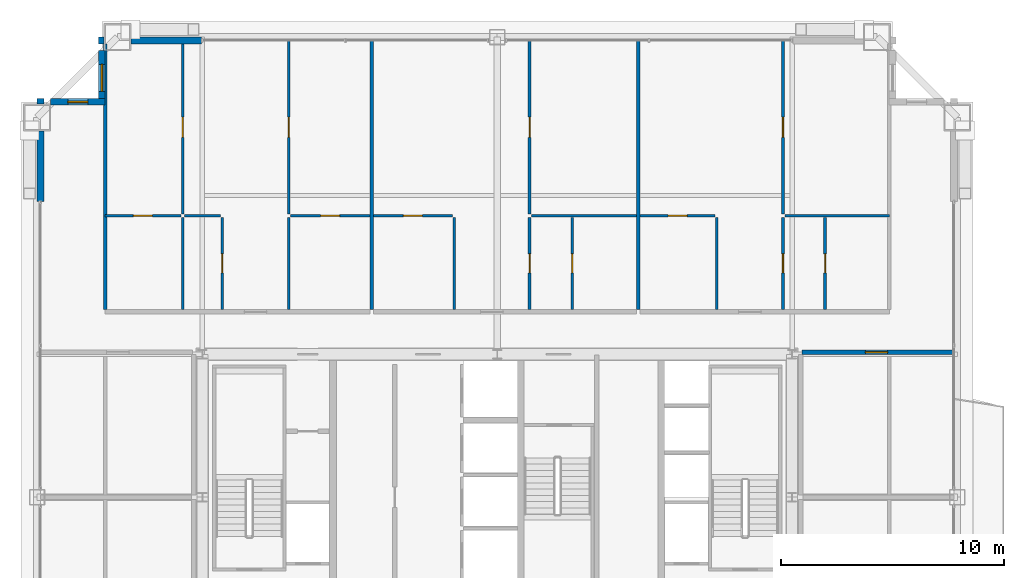
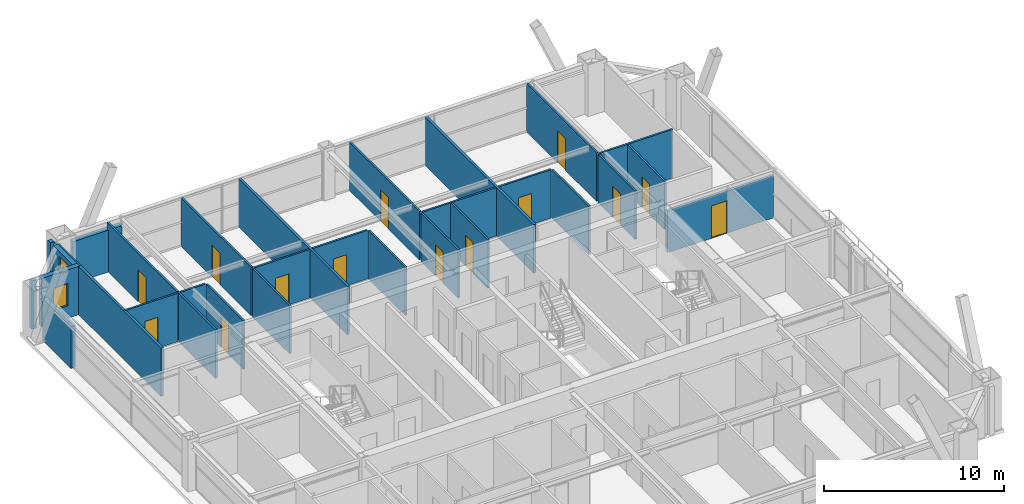
# One storey, part 33 of 35: 30 walls, 14 doors, 2 windows, 16 openings.
"""IFC4 building model written with IfcOpenShell, lengths in metres."""

import ifcopenshell
import ifcopenshell.guid

model = None  # the IFC model being written
_history = None  # IfcOwnerHistory: only IFC2X3 demands one
_inside = {}  # id of a spatial element -> (the spatial element, [elements in it])
_under = {}  # id of a project, library or spatial element -> (it, [spatial elements below it])
_declared = {}  # id of a project -> (the project, [libraries it declares])
_typed = {}  # id of a type object -> (the type object, [elements of that type])
_made_of = {}  # id of a material, layer set ... -> (it, [elements and type objects made of it])


def new_model(schema):
    """Start an empty IFC model of exactly this schema.

    Asked for "IFC4X3", IfcOpenShell would pick the latest addendum, in which some entities
    have other attributes; the version numbers below select the first issue.
    IFC2X3 requires an IfcOwnerHistory on every rooted entity: one is made here for all.
    """
    global model, _history
    if schema == "IFC4X3":
        model = ifcopenshell.file(schema_version=(4, 3, 0, 0))
    else:
        model = ifcopenshell.file(schema=schema)
    _inside.clear()
    _under.clear()
    _declared.clear()
    _typed.clear()
    _made_of.clear()
    _history = None
    if model.schema == "IFC2X3":
        org = make("IfcOrganization", Name="unknown")
        user = make(
            "IfcPersonAndOrganization",
            ThePerson=make("IfcPerson", FamilyName="unknown"),
            TheOrganization=org,
        )
        app = make(
            "IfcApplication",
            ApplicationDeveloper=org,
            Version="unknown",
            ApplicationFullName="unknown",
            ApplicationIdentifier="unknown",
        )
        _history = make(
            "IfcOwnerHistory",
            OwningUser=user,
            OwningApplication=app,
            ChangeAction="ADDED",
            CreationDate=0,
        )
    return model


def make(cls, **values):
    """One entity of the class cls with the attributes given. An attribute that is None is left unset."""
    return model.create_entity(
        cls, **{name: value for name, value in values.items() if value is not None}
    )


def rooted(cls, **values):
    """An entity with a GlobalId (a new one), such as an element, a storey or a relation."""
    return make(cls, GlobalId=ifcopenshell.guid.new(), OwnerHistory=_history, **values)


def si_unit(unit_type, name, prefix=None):
    """IfcSIUnit, for example si_unit("LENGTHUNIT", "METRE", prefix="MILLI")."""
    return make("IfcSIUnit", UnitType=unit_type, Prefix=prefix, Name=name)


def assignment(units):
    """IfcUnitAssignment: the units of a project."""
    return None if units is None else make("IfcUnitAssignment", Units=units)


def point(xyz):
    """IfcCartesianPoint."""
    return None if xyz is None else make("IfcCartesianPoint", Coordinates=xyz)


def direction(xyz):
    """IfcDirection."""
    return None if xyz is None else make("IfcDirection", DirectionRatios=xyz)


def frame(location, z_axis=None, x_axis=None):
    """IfcAxis2Placement3D, a coordinate frame: its origin and axes. An axis left out is left unset."""
    return make(
        "IfcAxis2Placement3D",
        Location=point(location),
        Axis=direction(z_axis),
        RefDirection=direction(x_axis),
    )


def frame_2d(location, x_axis=None):
    """IfcAxis2Placement2D, a coordinate frame in the plane: its origin and x axis."""
    return make(
        "IfcAxis2Placement2D", Location=point(location), RefDirection=direction(x_axis)
    )


def origin():
    """The frame at (0, 0, 0) with its axes left unset."""
    return frame((0.0, 0.0, 0.0))


def place(relative_to, where):
    """IfcLocalPlacement: puts the frame where relative to a parent placement (None: the world)."""
    return make(
        "IfcLocalPlacement", PlacementRelTo=relative_to, RelativePlacement=where
    )


def context(
    kind, dimensions, precision=None, world=None, true_north=None, identifier=None
):
    """IfcGeometricRepresentationContext, for example the 3D "Model" context."""
    return make(
        "IfcGeometricRepresentationContext",
        ContextIdentifier=identifier,
        ContextType=kind,
        CoordinateSpaceDimension=dimensions,
        Precision=precision,
        WorldCoordinateSystem=world,
        TrueNorth=true_north,
    )


def subcontext(parent, identifier, kind, view, scale=None):
    """IfcGeometricRepresentationSubContext, for example "Body" below "Model"."""
    return make(
        "IfcGeometricRepresentationSubContext",
        ContextIdentifier=identifier,
        ContextType=kind,
        ParentContext=parent,
        TargetScale=scale,
        TargetView=view,
    )


def project(units=None, contexts=None):
    """IfcProject with its units and contexts."""
    return rooted(
        "IfcProject",
        Name="project",
        RepresentationContexts=contexts,
        UnitsInContext=assignment(units),
    )


def spatial(cls, under=None, at=None, **own):
    """A site, building, storey or space (cls), placed at a placement, below another one or the project."""
    s = rooted(cls, ObjectPlacement=at, **own)
    if under is not None:
        _under.setdefault(under.id(), (under, []))[1].append(s)
    return s


def profile(cls, at=None, kind="AREA", **sizes):
    """A parametric profile (cls). Its sizes go by their IFC names, for example OverallWidth=200.0."""
    return make(cls, ProfileType=kind, Position=at, **sizes)


def rectangle(**sizes):
    """IfcRectangleProfileDef."""
    return profile("IfcRectangleProfileDef", **sizes)


def extrude(swept, where, along, depth):
    """IfcExtrudedAreaSolid: the profile swept, set in the frame where, extruded along a direction by depth."""
    return make(
        "IfcExtrudedAreaSolid",
        SweptArea=swept,
        Position=where,
        ExtrudedDirection=direction(along),
        Depth=depth,
    )


def shape(context_of_items, identifier, shape_type, items):
    """IfcShapeRepresentation: the items that make up one representation, for example the "Body"."""
    return make(
        "IfcShapeRepresentation",
        ContextOfItems=context_of_items,
        RepresentationIdentifier=identifier,
        RepresentationType=shape_type,
        Items=items,
    )


def source(mapping_origin, context_of_items, identifier, shape_type, items):
    """IfcRepresentationMap: a shape defined once, which mapped items show again and again."""
    return make(
        "IfcRepresentationMap",
        MappingOrigin=mapping_origin,
        MappedRepresentation=shape(context_of_items, identifier, shape_type, items),
    )


def transform(
    local_origin,
    x_axis=None,
    y_axis=None,
    z_axis=None,
    scale=None,
    scale2=None,
    scale3=None,
    uniform=True,
):
    """IfcCartesianTransformationOperator3D, or its non-uniform kind. x_axis, y_axis, z_axis: its Axis1, 2, 3."""
    if uniform:
        return make(
            "IfcCartesianTransformationOperator3D",
            Axis1=direction(x_axis),
            Axis2=direction(y_axis),
            LocalOrigin=point(local_origin),
            Scale=scale,
            Axis3=direction(z_axis),
        )
    return make(
        "IfcCartesianTransformationOperator3DnonUniform",
        Axis1=direction(x_axis),
        Axis2=direction(y_axis),
        LocalOrigin=point(local_origin),
        Scale=scale,
        Axis3=direction(z_axis),
        Scale2=scale2,
        Scale3=scale3,
    )


def mapped(mapping_source, mapping_target):
    """IfcMappedItem: shows the shape of a source again, moved by a transform."""
    return make(
        "IfcMappedItem", MappingSource=mapping_source, MappingTarget=mapping_target
    )


def material(Name=None, Category=None):
    """IfcMaterial."""
    return make("IfcMaterial", Name=Name, Category=Category)


def layer(
    of_material, thickness, ventilated=None, Name=None, Category=None, Priority=None
):
    """IfcMaterialLayer: one layer of a wall or slab, of a material (None: an air gap)."""
    return make(
        "IfcMaterialLayer",
        Material=of_material,
        LayerThickness=thickness,
        IsVentilated=ventilated,
        Name=Name,
        Category=Category,
        Priority=Priority,
    )


def layer_set(layers, Name=None):
    """IfcMaterialLayerSet."""
    return make("IfcMaterialLayerSet", MaterialLayers=layers, LayerSetName=Name)


def made_of(thing, what):
    """Note that an element or type object is made of a material, layer set ...; save() writes the relation."""
    if what is not None:
        _made_of.setdefault(what.id(), (what, []))[1].append(thing)
    return thing


def type_object(cls, material=None, **own):
    """A type object (cls), such as IfcWallType, which elements share."""
    return made_of(rooted(cls, **own), material)


def element(
    cls,
    number,
    at=None,
    inside=None,
    cuts=None,
    type_object=None,
    material=None,
    context=None,
    identifier="Body",
    shape_type=None,
    held_by="IfcProductDefinitionShape",
    body=None,
    shapes=None,
    **own,
):
    """One element of the class cls, such as IfcWall. Its Tag is "e" and its number.

    at: its placement. inside: the storey or other place that contains it. cuts: it is an
    opening in that element (IfcRelVoidsElement). A single representation is given by context,
    identifier, shape_type and body (its items); several are given by shapes. held_by: the class
    of the entity that holds the representations. save() writes the other relations.
    """
    e = rooted(cls, Tag="e%d" % number, ObjectPlacement=at, **own)
    if body is not None:
        shapes = [shape(context, identifier, shape_type, body)]
    if shapes is not None:
        e.Representation = make(held_by, Representations=shapes)
    if inside is not None:
        _inside.setdefault(inside.id(), (inside, []))[1].append(e)
    if cuts is not None:
        rooted(
            "IfcRelVoidsElement", RelatingBuildingElement=cuts, RelatedOpeningElement=e
        )
    if type_object is not None:
        _typed.setdefault(type_object.id(), (type_object, []))[1].append(e)
    return made_of(e, material)


def fill(opening, filler):
    """IfcRelFillsElement: the door or window that sits in an opening."""
    return rooted(
        "IfcRelFillsElement",
        RelatingOpeningElement=opening,
        RelatedBuildingElement=filler,
    )


def aggregate(whole, parts):
    """IfcRelAggregates: a whole, such as a stair, and the parts it consists of."""
    return rooted("IfcRelAggregates", RelatingObject=whole, RelatedObjects=parts)


def save(model, path):
    """Write the relations noted so far, then the file.

    IfcRelAggregates (storeys below a building ...), IfcRelContainedInSpatialStructure (elements
    in a storey), IfcRelDefinesByType, IfcRelAssociatesMaterial and IfcRelDeclares: one each for
    every whole, place, type object, material and project.
    """
    for whole, parts in _under.values():
        aggregate(whole, parts)
    for where, things in _inside.values():
        rooted(
            "IfcRelContainedInSpatialStructure",
            RelatedElements=things,
            RelatingStructure=where,
        )
    for kind, things in _typed.values():
        rooted("IfcRelDefinesByType", RelatedObjects=things, RelatingType=kind)
    for what, things in _made_of.values():
        rooted("IfcRelAssociatesMaterial", RelatedObjects=things, RelatingMaterial=what)
    for by, libraries in _declared.values():
        rooted("IfcRelDeclares", RelatingContext=by, RelatedDefinitions=libraries)
    model.write(path)


model = new_model("IFC4")

# Units and contexts
model_context = context("Model", 3, precision=1e-05, world=origin(), true_north=direction((0.0, 1.0)))
body_context = subcontext(model_context, "Body", "Model", "MODEL_VIEW")
ifc_project = project(units=[si_unit("LENGTHUNIT", "METRE"), si_unit("AREAUNIT", "SQUARE_METRE"), si_unit("VOLUMEUNIT", "CUBIC_METRE"), si_unit("PLANEANGLEUNIT", "RADIAN"), si_unit("MASSUNIT", "GRAM", prefix="KILO"), si_unit("THERMODYNAMICTEMPERATUREUNIT", "KELVIN"), si_unit("POWERUNIT", "WATT")], contexts=[model_context])

# Site, building, storey
site_placement = place(None, origin())
site = spatial("IfcSite", under=ifc_project, at=site_placement, CompositionType="ELEMENT")
building_placement = place(site_placement, origin())
building = spatial("IfcBuilding", under=site, at=building_placement, Name="Yuzanri Waterfront Tower", CompositionType="ELEMENT")
storey_placement = place(building_placement, frame((0.0, 0.0, 248.60009765625)))
storey = spatial("IfcBuildingStorey", under=building, at=storey_placement, Name="L66", CompositionType="ELEMENT", Elevation=248.60009765625)

# Wall, opening, door
ifc_material_1 = material(Name="Moisture-Resistant Gypsum Stud Wall", Category="gypsum")
ifc_layer_1 = layer(ifc_material_1, 0.1201171875)
ifc_layer_set_1 = layer_set([ifc_layer_1], Name="Moisture-Resistant Gypsum Stud Wall")
wall_type_1 = type_object("IfcWallType", Name="Bathroom and Kitchen Wet Partition 120", PredefinedType="PARTITIONING", material=ifc_layer_set_1)
wall_1_placement = place(storey_placement, frame((19.43994140625, 38.39990234375, 0.0), z_axis=(0.0, 0.0, 1.0), x_axis=(1.0, 0.0, 0.0)))
wall_1 = element("IfcWall", 1, at=wall_1_placement, inside=storey, type_object=wall_type_1, Name="L66 Partition UW-L66-RN1-SUB-1-N", PredefinedType="PARTITIONING", context=body_context, shape_type="SweptSolid", body=[
    extrude(rectangle(XDim=3.400146484375, YDim=0.1201171875, at=frame_2d((1.7001953125, 0.0))), origin(), (0.0, 0.0, 1.0), 3.27978515625),
])
opening_1_placement = place(wall_1_placement, frame((1.27490234375, 0.0, 0.0)))
opening_1 = element("IfcOpeningElement", 2, at=opening_1_placement, cuts=wall_1, Name="Opening ID-0850", PredefinedType="OPENING", context=body_context, shape_type="SweptSolid", body=[
    extrude(rectangle(XDim=0.85009765625, YDim=2.10009765625, at=frame_2d((0.425048828125, 1.050048828125))), frame((0.0, 0.074951171875, 0.0), z_axis=(0.0, -1.0, 0.0), x_axis=(1.0, 0.0, 0.0)), (0.0, 0.0, 1.0), 0.14990234375),
])
ifc_material_2 = material(Name="Moisture-Resistant Lacquered Timber", Category="wood")
door_type_1 = type_object("IfcDoorType", Name="En-Suite Bathroom and Kitchen Swing Door 850x2100", OperationType="NOTDEFINED", PredefinedType="DOOR", material=ifc_material_2)
shared_shape_1 = source(origin(), body_context, "Body", "SweptSolid", [
    extrude(rectangle(XDim=0.85009765625, YDim=2.10009765625, at=frame_2d((0.425048828125, 1.050048828125))), frame((0.0, 0.02490234375, 0.0), z_axis=(0.0, -1.0, 0.0), x_axis=(1.0, 0.0, 0.0)), (0.0, 0.0, 1.0), 0.050048828125),
])
door_1_placement = place(opening_1_placement, origin())
door_1 = element("IfcDoor", 3, at=door_1_placement, inside=storey, type_object=door_type_1, Name="L66 Suite Interior Room Door", OperationType="SINGLE_SWING_LEFT", OverallHeight=2.10009765625, OverallWidth=0.85009765625, PredefinedType="DOOR", context=body_context, shape_type="MappedRepresentation", body=[
    mapped(shared_shape_1, transform((0.0, 0.0, 0.0), scale=1.0)),
])
fill(opening_1, door_1)

wall_2_placement = place(storey_placement, frame((24.693115234375, 34.2099609375, 0.0), z_axis=(0.0, 0.0, 1.0), x_axis=(0.0, 1.0, 0.0)))
wall_2 = element("IfcWall", 4, at=wall_2_placement, inside=storey, type_object=wall_type_1, Name="L66 Partition UW-L66-RN1-SUB-2-E", PredefinedType="PARTITIONING", context=body_context, shape_type="SweptSolid", body=[
    extrude(rectangle(XDim=4.110107421875, YDim=0.1201171875, at=frame_2d((2.05517578125, 0.0))), origin(), (0.0, 0.0, 1.0), 3.27978515625),
])
opening_2_placement = place(wall_2_placement, frame((1.6298828125, 0.0, 0.0)))
opening_2 = element("IfcOpeningElement", 5, at=opening_2_placement, cuts=wall_2, Name="Opening ID-0850", PredefinedType="OPENING", context=body_context, shape_type="SweptSolid", body=[
    extrude(rectangle(XDim=0.85009765625, YDim=2.10009765625, at=frame_2d((0.425048828125, 1.050048828125))), frame((0.0, 0.074951171875, 0.0), z_axis=(0.0, -1.0, 0.0), x_axis=(1.0, 0.0, 0.0)), (0.0, 0.0, 1.0), 0.14990234375),
])
door_2_placement = place(opening_2_placement, origin())
door_2 = element("IfcDoor", 6, at=door_2_placement, inside=storey, type_object=door_type_1, Name="L66 Suite Interior Room Door", OperationType="SINGLE_SWING_RIGHT", OverallHeight=2.10009765625, OverallWidth=0.85009765625, PredefinedType="DOOR", context=body_context, shape_type="MappedRepresentation", body=[
    mapped(shared_shape_1, transform((0.0, 0.0, 0.0), scale=1.0)),
])
fill(opening_2, door_2)

wall_3_placement = place(storey_placement, frame((27.742919921875, 38.39990234375, 0.0), z_axis=(0.0, 0.0, 1.0), x_axis=(1.0, 0.0, 0.0)))
wall_3 = element("IfcWall", 7, at=wall_3_placement, inside=storey, type_object=wall_type_1, Name="L66 Partition UW-L66-RN1-SUB-3-N", PredefinedType="PARTITIONING", context=body_context, shape_type="SweptSolid", body=[
    extrude(rectangle(XDim=3.55810546875, YDim=0.1201171875, at=frame_2d((1.779052734375, 0.0))), origin(), (0.0, 0.0, 1.0), 3.27978515625),
])
opening_3_placement = place(wall_3_placement, frame((1.35400390625, 0.0, 0.0)))
opening_3 = element("IfcOpeningElement", 8, at=opening_3_placement, cuts=wall_3, Name="Opening ID-0850", PredefinedType="OPENING", context=body_context, shape_type="SweptSolid", body=[
    extrude(rectangle(XDim=0.85009765625, YDim=2.10009765625, at=frame_2d((0.425048828125, 1.050048828125))), frame((0.0, 0.074951171875, 0.0), z_axis=(0.0, -1.0, 0.0), x_axis=(1.0, 0.0, 0.0)), (0.0, 0.0, 1.0), 0.14990234375),
])
door_3_placement = place(opening_3_placement, origin())
door_3 = element("IfcDoor", 9, at=door_3_placement, inside=storey, type_object=door_type_1, Name="L66 Suite Interior Room Door", OperationType="SINGLE_SWING_LEFT", OverallHeight=2.10009765625, OverallWidth=0.85009765625, PredefinedType="DOOR", context=body_context, shape_type="MappedRepresentation", body=[
    mapped(shared_shape_1, transform((0.0, 0.0, 0.0), scale=1.0)),
])
fill(opening_3, door_3)

wall_4_placement = place(storey_placement, frame((22.919921875, 38.47998046875, 0.0), z_axis=(0.0, 0.0, 1.0), x_axis=(0.0, 1.0, 0.0)))
wall_4 = element("IfcWall", 10, at=wall_4_placement, inside=storey, type_object=wall_type_1, Name="L66 Partition UW-L66-RN1-SUB-4-E", PredefinedType="PARTITIONING", context=body_context, shape_type="SweptSolid", body=[
    extrude(rectangle(XDim=7.77001953125, YDim=0.1201171875, at=frame_2d((3.885009765625, 0.0))), origin(), (0.0, 0.0, 1.0), 3.27978515625),
])
opening_4_placement = place(wall_4_placement, frame((3.43505859375, 0.0, 0.0)))
opening_4 = element("IfcOpeningElement", 11, at=opening_4_placement, cuts=wall_4, Name="Opening ID-0900", PredefinedType="OPENING", context=body_context, shape_type="SweptSolid", body=[
    extrude(rectangle(XDim=0.89990234375, YDim=2.14990234375, at=frame_2d((0.449951171875, 1.074951171875))), frame((0.0, 0.074951171875, 0.0), z_axis=(0.0, -1.0, 0.0), x_axis=(1.0, 0.0, 0.0)), (0.0, 0.0, 1.0), 0.14990234375),
])
ifc_material_3 = material(Name="Stained Walnut Veneer Timber", Category="wood")
door_type_2 = type_object("IfcDoorType", Name="Bedroom and Study Interior Swing Door 900x2150", OperationType="NOTDEFINED", PredefinedType="DOOR", material=ifc_material_3)
shared_shape_2 = source(origin(), body_context, "Body", "SweptSolid", [
    extrude(rectangle(XDim=0.89990234375, YDim=2.14990234375, at=frame_2d((0.449951171875, 1.074951171875))), frame((0.0, 0.02490234375, 0.0), z_axis=(0.0, -1.0, 0.0), x_axis=(1.0, 0.0, 0.0)), (0.0, 0.0, 1.0), 0.050048828125),
])
door_4_placement = place(opening_4_placement, origin())
door_4 = element("IfcDoor", 12, at=door_4_placement, inside=storey, type_object=door_type_2, Name="L66 Suite Interior Room Door", OperationType="SINGLE_SWING_RIGHT", OverallHeight=2.14990234375, OverallWidth=0.89990234375, PredefinedType="DOOR", context=body_context, shape_type="MappedRepresentation", body=[
    mapped(shared_shape_2, transform((0.0, 0.0, 0.0), scale=1.0)),
])
fill(opening_4, door_4)

wall_5_placement = place(storey_placement, frame((27.6630859375, 38.47998046875, 0.0), z_axis=(0.0, 0.0, 1.0), x_axis=(0.0, 1.0, 0.0)))
wall_5 = element("IfcWall", 13, at=wall_5_placement, inside=storey, type_object=wall_type_1, Name="L66 Partition UW-L66-RN1-SUB-5-W", PredefinedType="PARTITIONING", context=body_context, shape_type="SweptSolid", body=[
    extrude(rectangle(XDim=7.77001953125, YDim=0.1201171875, at=frame_2d((3.885009765625, 0.0))), origin(), (0.0, 0.0, 1.0), 3.27978515625),
])
opening_5_placement = place(wall_5_placement, frame((3.43505859375, 0.0, 0.0)))
opening_5 = element("IfcOpeningElement", 14, at=opening_5_placement, cuts=wall_5, Name="Opening ID-0900", PredefinedType="OPENING", context=body_context, shape_type="SweptSolid", body=[
    extrude(rectangle(XDim=0.89990234375, YDim=2.14990234375, at=frame_2d((0.449951171875, 1.074951171875))), frame((0.0, 0.074951171875, 0.0), z_axis=(0.0, -1.0, 0.0), x_axis=(1.0, 0.0, 0.0)), (0.0, 0.0, 1.0), 0.14990234375),
])
door_5_placement = place(opening_5_placement, origin())
door_5 = element("IfcDoor", 15, at=door_5_placement, inside=storey, type_object=door_type_2, Name="L66 Suite Interior Room Door", OperationType="SINGLE_SWING_LEFT", OverallHeight=2.14990234375, OverallWidth=0.89990234375, PredefinedType="DOOR", context=body_context, shape_type="MappedRepresentation", body=[
    mapped(shared_shape_2, transform((0.0, 0.0, 0.0), scale=1.0)),
])
fill(opening_5, door_5)

wall_6_placement = place(storey_placement, frame((31.4609375, 38.39990234375, 0.0), z_axis=(0.0, 0.0, 1.0), x_axis=(1.0, 0.0, 0.0)))
wall_6 = element("IfcWall", 16, at=wall_6_placement, inside=storey, type_object=wall_type_1, Name="L66 Partition UW-L66-RN2-SUB-1-N", PredefinedType="PARTITIONING", context=body_context, shape_type="SweptSolid", body=[
    extrude(rectangle(XDim=3.5341796875, YDim=0.1201171875, at=frame_2d((1.76708984375, 0.0))), origin(), (0.0, 0.0, 1.0), 3.27978515625),
])
opening_6_placement = place(wall_6_placement, frame((1.342041015625, 0.0, 0.0)))
opening_6 = element("IfcOpeningElement", 17, at=opening_6_placement, cuts=wall_6, Name="Opening ID-0850", PredefinedType="OPENING", context=body_context, shape_type="SweptSolid", body=[
    extrude(rectangle(XDim=0.85009765625, YDim=2.10009765625, at=frame_2d((0.425048828125, 1.050048828125))), frame((0.0, 0.074951171875, 0.0), z_axis=(0.0, -1.0, 0.0), x_axis=(1.0, 0.0, 0.0)), (0.0, 0.0, 1.0), 0.14990234375),
])
door_6_placement = place(opening_6_placement, origin())
door_6 = element("IfcDoor", 18, at=door_6_placement, inside=storey, type_object=door_type_1, Name="L66 Suite Interior Room Door", OperationType="SINGLE_SWING_LEFT", OverallHeight=2.10009765625, OverallWidth=0.85009765625, PredefinedType="DOOR", context=body_context, shape_type="MappedRepresentation", body=[
    mapped(shared_shape_1, transform((0.0, 0.0, 0.0), scale=1.0)),
])
fill(opening_6, door_6)

wall_7_placement = place(storey_placement, frame((40.362060546875, 34.2099609375, 0.0), z_axis=(0.0, 0.0, 1.0), x_axis=(0.0, 1.0, 0.0)))
wall_7 = element("IfcWall", 19, at=wall_7_placement, inside=storey, type_object=wall_type_1, Name="L66 Partition UW-L66-RN2-SUB-2-W", PredefinedType="PARTITIONING", context=body_context, shape_type="SweptSolid", body=[
    extrude(rectangle(XDim=4.110107421875, YDim=0.1201171875, at=frame_2d((2.05517578125, 0.0))), origin(), (0.0, 0.0, 1.0), 3.27978515625),
])
opening_7_placement = place(wall_7_placement, frame((1.6298828125, 0.0, 0.0)))
opening_7 = element("IfcOpeningElement", 20, at=opening_7_placement, cuts=wall_7, Name="Opening ID-0850", PredefinedType="OPENING", context=body_context, shape_type="SweptSolid", body=[
    extrude(rectangle(XDim=0.85009765625, YDim=2.10009765625, at=frame_2d((0.425048828125, 1.050048828125))), frame((0.0, 0.074951171875, 0.0), z_axis=(0.0, -1.0, 0.0), x_axis=(1.0, 0.0, 0.0)), (0.0, 0.0, 1.0), 0.14990234375),
])
door_7_placement = place(opening_7_placement, origin())
door_7 = element("IfcDoor", 21, at=door_7_placement, inside=storey, type_object=door_type_1, Name="L66 Suite Interior Room Door", OperationType="SINGLE_SWING_RIGHT", OverallHeight=2.10009765625, OverallWidth=0.85009765625, PredefinedType="DOOR", context=body_context, shape_type="MappedRepresentation", body=[
    mapped(shared_shape_1, transform((0.0, 0.0, 0.0), scale=1.0)),
])
fill(opening_7, door_7)

wall_8_placement = place(storey_placement, frame((38.449951171875, 38.47998046875, 0.0), z_axis=(0.0, 0.0, 1.0), x_axis=(0.0, 1.0, 0.0)))
wall_8 = element("IfcWall", 22, at=wall_8_placement, inside=storey, type_object=wall_type_1, Name="L66 Partition UW-L66-RN2-SUB-3-W", PredefinedType="PARTITIONING", context=body_context, shape_type="SweptSolid", body=[
    extrude(rectangle(XDim=7.77001953125, YDim=0.1201171875, at=frame_2d((3.885009765625, 0.0))), origin(), (0.0, 0.0, 1.0), 3.27978515625),
])
opening_8_placement = place(wall_8_placement, frame((3.43505859375, 0.0, 0.0)))
opening_8 = element("IfcOpeningElement", 23, at=opening_8_placement, cuts=wall_8, Name="Opening ID-0900", PredefinedType="OPENING", context=body_context, shape_type="SweptSolid", body=[
    extrude(rectangle(XDim=0.89990234375, YDim=2.14990234375, at=frame_2d((0.449951171875, 1.074951171875))), frame((0.0, 0.074951171875, 0.0), z_axis=(0.0, -1.0, 0.0), x_axis=(1.0, 0.0, 0.0)), (0.0, 0.0, 1.0), 0.14990234375),
])
door_8_placement = place(opening_8_placement, origin())
door_8 = element("IfcDoor", 24, at=door_8_placement, inside=storey, type_object=door_type_2, Name="L66 Suite Interior Room Door", OperationType="SINGLE_SWING_LEFT", OverallHeight=2.14990234375, OverallWidth=0.89990234375, PredefinedType="DOOR", context=body_context, shape_type="MappedRepresentation", body=[
    mapped(shared_shape_2, transform((0.0, 0.0, 0.0), scale=1.0)),
])
fill(opening_8, door_8)

wall_9_placement = place(storey_placement, frame((38.449951171875, 34.2099609375, 0.0), z_axis=(0.0, 0.0, 1.0), x_axis=(0.0, 1.0, 0.0)))
wall_9 = element("IfcWall", 25, at=wall_9_placement, inside=storey, type_object=wall_type_1, Name="L66 Partition UW-L66-RN2-SUB-4-W", PredefinedType="PARTITIONING", context=body_context, shape_type="SweptSolid", body=[
    extrude(rectangle(XDim=4.110107421875, YDim=0.1201171875, at=frame_2d((2.05517578125, 0.0))), origin(), (0.0, 0.0, 1.0), 3.27978515625),
])
opening_9_placement = place(wall_9_placement, frame((1.6298828125, 0.0, 0.0)))
opening_9 = element("IfcOpeningElement", 26, at=opening_9_placement, cuts=wall_9, Name="Opening ID-0850", PredefinedType="OPENING", context=body_context, shape_type="SweptSolid", body=[
    extrude(rectangle(XDim=0.85009765625, YDim=2.10009765625, at=frame_2d((0.425048828125, 1.050048828125))), frame((0.0, 0.074951171875, 0.0), z_axis=(0.0, -1.0, 0.0), x_axis=(1.0, 0.0, 0.0)), (0.0, 0.0, 1.0), 0.14990234375),
])
door_9_placement = place(opening_9_placement, origin())
door_9 = element("IfcDoor", 27, at=door_9_placement, inside=storey, type_object=door_type_1, Name="L66 Suite Interior Room Door", OperationType="SINGLE_SWING_RIGHT", OverallHeight=2.10009765625, OverallWidth=0.85009765625, PredefinedType="DOOR", context=body_context, shape_type="MappedRepresentation", body=[
    mapped(shared_shape_1, transform((0.0, 0.0, 0.0), scale=1.0)),
])
fill(opening_9, door_9)

wall_10_placement = place(storey_placement, frame((43.402099609375, 38.39990234375, 0.0), z_axis=(0.0, 0.0, 1.0), x_axis=(1.0, 0.0, 0.0)))
wall_10 = element("IfcWall", 28, at=wall_10_placement, inside=storey, type_object=wall_type_1, Name="L66 Partition UW-L66-RN3-SUB-1-N", PredefinedType="PARTITIONING", context=body_context, shape_type="SweptSolid", body=[
    extrude(rectangle(XDim=3.346923828125, YDim=0.1201171875, at=frame_2d((1.67333984375, 0.0))), origin(), (0.0, 0.0, 1.0), 3.27978515625),
])
opening_10_placement = place(wall_10_placement, frame((1.24853515625, 0.0, 0.0)))
opening_10 = element("IfcOpeningElement", 29, at=opening_10_placement, cuts=wall_10, Name="Opening ID-0850", PredefinedType="OPENING", context=body_context, shape_type="SweptSolid", body=[
    extrude(rectangle(XDim=0.85009765625, YDim=2.10009765625, at=frame_2d((0.425048828125, 1.050048828125))), frame((0.0, 0.074951171875, 0.0), z_axis=(0.0, -1.0, 0.0), x_axis=(1.0, 0.0, 0.0)), (0.0, 0.0, 1.0), 0.14990234375),
])
door_10_placement = place(opening_10_placement, origin())
door_10 = element("IfcDoor", 30, at=door_10_placement, inside=storey, type_object=door_type_1, Name="L66 Suite Interior Room Door", OperationType="SINGLE_SWING_RIGHT", OverallHeight=2.10009765625, OverallWidth=0.85009765625, PredefinedType="DOOR", context=body_context, shape_type="MappedRepresentation", body=[
    mapped(shared_shape_1, transform((0.0, 0.0, 0.0), scale=1.0)),
])
fill(opening_10, door_10)

wall_11_placement = place(storey_placement, frame((51.679931640625, 34.2099609375, 0.0), z_axis=(0.0, 0.0, 1.0), x_axis=(0.0, 1.0, 0.0)))
wall_11 = element("IfcWall", 31, at=wall_11_placement, inside=storey, type_object=wall_type_1, Name="L66 Partition UW-L66-RN3-SUB-2-W", PredefinedType="PARTITIONING", context=body_context, shape_type="SweptSolid", body=[
    extrude(rectangle(XDim=4.110107421875, YDim=0.1201171875, at=frame_2d((2.05517578125, 0.0))), origin(), (0.0, 0.0, 1.0), 3.27978515625),
])
opening_11_placement = place(wall_11_placement, frame((1.6298828125, 0.0, 0.0)))
opening_11 = element("IfcOpeningElement", 32, at=opening_11_placement, cuts=wall_11, Name="Opening ID-0850", PredefinedType="OPENING", context=body_context, shape_type="SweptSolid", body=[
    extrude(rectangle(XDim=0.85009765625, YDim=2.10009765625, at=frame_2d((0.425048828125, 1.050048828125))), frame((0.0, 0.074951171875, 0.0), z_axis=(0.0, -1.0, 0.0), x_axis=(1.0, 0.0, 0.0)), (0.0, 0.0, 1.0), 0.14990234375),
])
door_11_placement = place(opening_11_placement, origin())
door_11 = element("IfcDoor", 33, at=door_11_placement, inside=storey, type_object=door_type_1, Name="L66 Suite Interior Room Door", OperationType="SINGLE_SWING_LEFT", OverallHeight=2.10009765625, OverallWidth=0.85009765625, PredefinedType="DOOR", context=body_context, shape_type="MappedRepresentation", body=[
    mapped(shared_shape_1, transform((0.0, 0.0, 0.0), scale=1.0)),
])
fill(opening_11, door_11)

wall_12_placement = place(storey_placement, frame((49.7939453125, 38.47998046875, 0.0), z_axis=(0.0, 0.0, 1.0), x_axis=(0.0, 1.0, 0.0)))
wall_12 = element("IfcWall", 34, at=wall_12_placement, inside=storey, type_object=wall_type_1, Name="L66 Partition UW-L66-RN3-SUB-3-W", PredefinedType="PARTITIONING", context=body_context, shape_type="SweptSolid", body=[
    extrude(rectangle(XDim=7.77001953125, YDim=0.1201171875, at=frame_2d((3.885009765625, 0.0))), origin(), (0.0, 0.0, 1.0), 3.27978515625),
])
opening_12_placement = place(wall_12_placement, frame((3.43505859375, 0.0, 0.0)))
opening_12 = element("IfcOpeningElement", 35, at=opening_12_placement, cuts=wall_12, Name="Opening ID-0900", PredefinedType="OPENING", context=body_context, shape_type="SweptSolid", body=[
    extrude(rectangle(XDim=0.89990234375, YDim=2.14990234375, at=frame_2d((0.449951171875, 1.074951171875))), frame((0.0, 0.074951171875, 0.0), z_axis=(0.0, -1.0, 0.0), x_axis=(1.0, 0.0, 0.0)), (0.0, 0.0, 1.0), 0.14990234375),
])
door_12_placement = place(opening_12_placement, origin())
door_12 = element("IfcDoor", 36, at=door_12_placement, inside=storey, type_object=door_type_2, Name="L66 Suite Interior Room Door", OperationType="SINGLE_SWING_RIGHT", OverallHeight=2.14990234375, OverallWidth=0.89990234375, PredefinedType="DOOR", context=body_context, shape_type="MappedRepresentation", body=[
    mapped(shared_shape_2, transform((0.0, 0.0, 0.0), scale=1.0)),
])
fill(opening_12, door_12)

wall_13_placement = place(storey_placement, frame((49.7939453125, 34.2099609375, 0.0), z_axis=(0.0, 0.0, 1.0), x_axis=(0.0, 1.0, 0.0)))
wall_13 = element("IfcWall", 37, at=wall_13_placement, inside=storey, type_object=wall_type_1, Name="L66 Partition UW-L66-RN3-SUB-4-W", PredefinedType="PARTITIONING", context=body_context, shape_type="SweptSolid", body=[
    extrude(rectangle(XDim=4.110107421875, YDim=0.1201171875, at=frame_2d((2.05517578125, 0.0))), origin(), (0.0, 0.0, 1.0), 3.27978515625),
])
opening_13_placement = place(wall_13_placement, frame((1.6298828125, 0.0, 0.0)))
opening_13 = element("IfcOpeningElement", 38, at=opening_13_placement, cuts=wall_13, Name="Opening ID-0850", PredefinedType="OPENING", context=body_context, shape_type="SweptSolid", body=[
    extrude(rectangle(XDim=0.85009765625, YDim=2.10009765625, at=frame_2d((0.425048828125, 1.050048828125))), frame((0.0, 0.074951171875, 0.0), z_axis=(0.0, -1.0, 0.0), x_axis=(1.0, 0.0, 0.0)), (0.0, 0.0, 1.0), 0.14990234375),
])
door_13_placement = place(opening_13_placement, origin())
door_13 = element("IfcDoor", 39, at=door_13_placement, inside=storey, type_object=door_type_1, Name="L66 Suite Interior Room Door", OperationType="SINGLE_SWING_LEFT", OverallHeight=2.10009765625, OverallWidth=0.85009765625, PredefinedType="DOOR", context=body_context, shape_type="MappedRepresentation", body=[
    mapped(shared_shape_1, transform((0.0, 0.0, 0.0), scale=1.0)),
])
fill(opening_13, door_13)

# Wall, opening, window
ifc_material_4 = material(Name="Honed Chongqing Dark Basalt Stone", Category="masonry")
ifc_layer_2 = layer(ifc_material_4, 0.300048828125)
ifc_layer_set_2 = layer_set([ifc_layer_2], Name="Honed Chongqing Dark Basalt Stone")
wall_type_2 = type_object("IfcWallType", Name="Bronze Rainscreen Insulated Spandrel Portal Wall 300", PredefinedType="SOLIDWALL", material=ifc_layer_set_2)
wall_14_placement = place(storey_placement, frame((19.449951171875, 43.5, 0.0), z_axis=(0.0, 0.0, 1.0), x_axis=(-1.0, 0.0, 0.0)))
wall_14 = element("IfcWall", 40, at=wall_14_placement, inside=storey, type_object=wall_type_2, Name="L66 Notched Corner Masonry Wall NW-X", PredefinedType="SOLIDWALL", context=body_context, shape_type="SweptSolid", body=[
    extrude(rectangle(XDim=2.449951171875, YDim=0.300048828125, at=frame_2d((1.22509765625, 0.0))), origin(), (0.0, 0.0, 1.0), 3.27978515625),
])
opening_14_placement = place(wall_14_placement, frame((0.77490234375, 0.0, 0.85009765625)))
opening_14 = element("IfcOpeningElement", 41, at=opening_14_placement, cuts=wall_14, Name="Opening WN-05", PredefinedType="OPENING", context=body_context, shape_type="SweptSolid", body=[
    extrude(rectangle(XDim=0.89990234375, YDim=1.5, at=frame_2d((0.449951171875, 0.75))), frame((0.0, 0.1650390625, 0.0), z_axis=(0.0, -1.0, 0.0), x_axis=(1.0, 0.0, 0.0)), (0.0, 0.0, 1.0), 0.329833984375),
])
ifc_material_5 = material(Name="Double-Silver Low-E Insulated Glass", Category="glass")
window_type_1 = type_object("IfcWindowType", Name="Anodized Bronze Service and Stairwell Smoke-Vent Window 900x1500", PartitioningType="SINGLE_PANEL", PredefinedType="WINDOW", material=ifc_material_5)
shared_shape_3 = source(origin(), body_context, "Body", "SweptSolid", [
    extrude(rectangle(XDim=0.89990234375, YDim=1.5, at=frame_2d((0.449951171875, 0.75))), frame((0.0, 0.030029296875, 0.0), z_axis=(0.0, -1.0, 0.0), x_axis=(1.0, 0.0, 0.0)), (0.0, 0.0, 1.0), 0.06005859375),
])
window_1_placement = place(opening_14_placement, origin())
window_1 = element("IfcWindow", 42, at=window_1_placement, inside=storey, type_object=window_type_1, Name="L66 Notched Corner Window NW-X", OverallHeight=1.5, OverallWidth=0.89990234375, PartitioningType="SINGLE_PANEL", PredefinedType="WINDOW", context=body_context, shape_type="MappedRepresentation", body=[
    mapped(shared_shape_3, transform((0.0, 0.0, 0.0), scale=1.0)),
])
fill(opening_14, window_1)

wall_15_placement = place(storey_placement, frame((19.300048828125, 45.800048828125, 0.0), z_axis=(0.0, 0.0, 1.0), x_axis=(0.0, -1.0, 0.0)))
wall_15 = element("IfcWall", 43, at=wall_15_placement, inside=storey, type_object=wall_type_2, Name="L66 Notched Corner Masonry Wall NW-Y", PredefinedType="SOLIDWALL", context=body_context, shape_type="SweptSolid", body=[
    extrude(rectangle(XDim=2.449951171875, YDim=0.300048828125, at=frame_2d((1.22509765625, 0.0))), origin(), (0.0, 0.0, 1.0), 3.27978515625),
])
opening_15_placement = place(wall_15_placement, frame((0.625, 0.0, 0.85009765625)))
opening_15 = element("IfcOpeningElement", 44, at=opening_15_placement, cuts=wall_15, Name="Opening WN-02", PredefinedType="OPENING", context=body_context, shape_type="SweptSolid", body=[
    extrude(rectangle(XDim=1.199951171875, YDim=2.10009765625, at=frame_2d((0.60009765625, 1.050048828125))), frame((0.0, 0.1650390625, 0.0), z_axis=(0.0, -1.0, 0.0), x_axis=(1.0, 0.0, 0.0)), (0.0, 0.0, 1.0), 0.329833984375),
])
ifc_material_6 = material(Name="Double-Silver Low-E Insulated Glass", Category="glass")
window_type_2 = type_object("IfcWindowType", Name="Anodized Bronze Notched Corner Deep-Set Slot Window 1200x2100", PartitioningType="SINGLE_PANEL", PredefinedType="WINDOW", material=ifc_material_6)
shared_shape_4 = source(origin(), body_context, "Body", "SweptSolid", [
    extrude(rectangle(XDim=1.199951171875, YDim=2.10009765625, at=frame_2d((0.60009765625, 1.050048828125))), frame((0.0, 0.030029296875, 0.0), z_axis=(0.0, -1.0, 0.0), x_axis=(1.0, 0.0, 0.0)), (0.0, 0.0, 1.0), 0.06005859375),
])
window_2_placement = place(opening_15_placement, origin())
window_2 = element("IfcWindow", 45, at=window_2_placement, inside=storey, type_object=window_type_2, Name="L66 Notched Corner Window NW-Y", OverallHeight=2.10009765625, OverallWidth=1.199951171875, PartitioningType="SINGLE_PANEL", PredefinedType="WINDOW", context=body_context, shape_type="MappedRepresentation", body=[
    mapped(shared_shape_4, transform((0.0, 0.0, 0.0), scale=1.0)),
])
fill(opening_15, window_2)

# Wall, opening, door
ifc_material_7 = material(Name="Autoclaved Aerated Concrete Blockwork", Category="masonry")
ifc_layer_3 = layer(ifc_material_7, 0.199951171875)
ifc_layer_set_3 = layer_set([ifc_layer_3], Name="Autoclaved Aerated Concrete Blockwork")
wall_type_3 = type_object("IfcWallType", Name="Corridor and Unit Party Fire Wall 200", PredefinedType="PARTITIONING", material=ifc_layer_set_3)
wall_16_placement = place(storey_placement, frame((50.64990234375, 32.2900390625, 0.0), z_axis=(0.0, 0.0, 1.0), x_axis=(1.0, 0.0, 0.0)))
wall_16 = element("IfcWall", 46, at=wall_16_placement, inside=storey, type_object=wall_type_3, Name="L66 Partition UW-L66-050-CN", PredefinedType="PARTITIONING", context=body_context, shape_type="SweptSolid", body=[
    extrude(rectangle(XDim=6.800048828125, YDim=0.199951171875, at=frame_2d((3.39990234375, 0.0))), origin(), (0.0, 0.0, 1.0), 2.824951171875),
])
opening_16_placement = place(wall_16_placement, frame((2.8349609375, 0.0, 0.0)))
opening_16 = element("IfcOpeningElement", 47, at=opening_16_placement, cuts=wall_16, Name="Opening FD-1000", PredefinedType="OPENING", context=body_context, shape_type="SweptSolid", body=[
    extrude(rectangle(XDim=1.0, YDim=2.199951171875, at=frame_2d((0.5, 1.10009765625))), frame((0.0, 0.11474609375, 0.0), z_axis=(0.0, -1.0, 0.0), x_axis=(1.0, 0.0, 0.0)), (0.0, 0.0, 1.0), 0.229736328125),
])
ifc_material_8 = material(Name="Engineered Oak Fire-Rated Timber", Category="wood")
door_type_3 = type_object("IfcDoorType", Name="Guestroom and Apartment Entrance Fire Door 1000x2200", OperationType="NOTDEFINED", PredefinedType="DOOR", material=ifc_material_8)
shared_shape_5 = source(origin(), body_context, "Body", "SweptSolid", [
    extrude(rectangle(XDim=1.0, YDim=2.199951171875, at=frame_2d((0.5, 1.10009765625))), frame((0.0, 0.02490234375, 0.0), z_axis=(0.0, -1.0, 0.0), x_axis=(1.0, 0.0, 0.0)), (0.0, 0.0, 1.0), 0.050048828125),
])
door_14_placement = place(opening_16_placement, origin())
door_14 = element("IfcDoor", 48, at=door_14_placement, inside=storey, type_object=door_type_3, Name="L66 Residents E Executive Office 2 Entrance Door", OperationType="SINGLE_SWING_LEFT", OverallHeight=2.199951171875, OverallWidth=1.0, PredefinedType="DOOR", context=body_context, shape_type="MappedRepresentation", body=[
    mapped(shared_shape_5, transform((0.0, 0.0, 0.0), scale=1.0)),
])
fill(opening_16, door_14)

# Walls
shared_shape_6 = source(origin(), body_context, "Body", "SweptSolid", [
    extrude(rectangle(XDim=0.25, YDim=0.300048828125, at=frame_2d((0.125, 0.0))), origin(), (0.0, 0.0, 1.0), 3.27978515625),
])
for number, where, z_axis, x_axis, name in (
    (49, (19.14990234375, 46.25, 0.0), (0.0, 0.0, 1.0), (1.0, 0.0, 0.0), "L66 Corner Column Shoulder Return CNW"),
    (50, (16.550048828125, 43.39990234375, 0.0), (0.0, 0.0, 1.0), (0.0, 1.0, 0.0), "L66 Corner Column Shoulder Return CWN"),
):
    element("IfcWall", number, at=place(storey_placement, frame(where, z_axis=z_axis, x_axis=x_axis)), inside=storey, type_object=wall_type_2, Name=name, PredefinedType="SOLIDWALL", context=body_context, shape_type="MappedRepresentation", body=[
        mapped(shared_shape_6, transform((0.0, 0.0, 0.0), scale=1.0)),
    ])
shared_shape_7 = source(origin(), body_context, "Body", "SweptSolid", [
    extrude(rectangle(XDim=3.14990234375, YDim=0.300048828125, at=frame_2d((1.574951171875, 0.0))), origin(), (0.0, 0.0, 1.0), 2.8349609375),
])
for number, where, z_axis, x_axis, name in (
    (51, (20.60009765625, 46.25, 0.0), (0.0, 0.0, 1.0), (1.0, 0.0, 0.0), "L66 N Left Braced Masonry Shoulder"),
    (52, (16.550048828125, 39.050048828125, 0.0), (0.0, 0.0, 1.0), (0.0, 1.0, 0.0), "L66 W Right Braced Masonry Shoulder"),
):
    element("IfcWall", number, at=place(storey_placement, frame(where, z_axis=z_axis, x_axis=x_axis)), inside=storey, type_object=wall_type_2, Name=name, PredefinedType="SOLIDWALL", context=body_context, shape_type="MappedRepresentation", body=[
        mapped(shared_shape_7, transform((0.0, 0.0, 0.0), scale=1.0)),
    ])
ifc_material_9 = material(Name="Gypsum Fireboard Acoustic Stud Wall", Category="gypsum")
ifc_layer_4 = layer(ifc_material_9, 0.159912109375)
ifc_layer_set_4 = layer_set([ifc_layer_4], Name="Gypsum Fireboard Acoustic Stud Wall")
wall_type_4 = type_object("IfcWallType", Name="Acoustic Suite Demising Partition 160", PredefinedType="PARTITIONING", material=ifc_layer_set_4)
shared_shape_8 = source(origin(), body_context, "Body", "SweptSolid", [
    extrude(rectangle(XDim=11.89013671875, YDim=0.159912109375, at=frame_2d((5.945068359375, 0.0))), origin(), (0.0, 0.0, 1.0), 3.27978515625),
])
wall_17_placement = place(storey_placement, frame((19.449951171875, 34.2099609375, 0.0), z_axis=(0.0, 0.0, 1.0), x_axis=(0.0, 1.0, 0.0)))
element("IfcWall", 53, at=wall_17_placement, inside=storey, type_object=wall_type_4, Name="L66 North Band West End Wall", PredefinedType="PARTITIONING", context=body_context, shape_type="MappedRepresentation", body=[
    mapped(shared_shape_8, transform((0.0, 0.0, 0.0), scale=1.0)),
])
shared_shape_9 = source(origin(), body_context, "Body", "SweptSolid", [
    extrude(rectangle(XDim=12.0400390625, YDim=0.159912109375, at=frame_2d((6.02001953125, 0.0))), origin(), (0.0, 0.0, 1.0), 3.27978515625),
])
for number, where, z_axis, x_axis, name in (
    (54, (31.381103515625, 34.2099609375, 0.0), (0.0, 0.0, 1.0), (0.0, 1.0, 0.0), "L66-RN1 Party Wall"),
    (55, (43.322021484375, 34.2099609375, 0.0), (0.0, 0.0, 1.0), (0.0, 1.0, 0.0), "L66-RN2 Party Wall"),
):
    element("IfcWall", number, at=place(storey_placement, frame(where, z_axis=z_axis, x_axis=x_axis)), inside=storey, type_object=wall_type_4, Name=name, PredefinedType="PARTITIONING", context=body_context, shape_type="MappedRepresentation", body=[
        mapped(shared_shape_9, transform((0.0, 0.0, 0.0), scale=1.0)),
    ])
shared_shape_10 = source(origin(), body_context, "Body", "SweptSolid", [
    extrude(rectangle(XDim=4.7119140625, YDim=0.1201171875, at=frame_2d((2.35595703125, 0.0))), origin(), (0.0, 0.0, 1.0), 3.27978515625),
])
wall_18_placement = place(storey_placement, frame((38.530029296875, 38.39990234375, 0.0), z_axis=(0.0, 0.0, 1.0), x_axis=(1.0, 0.0, 0.0)))
element("IfcWall", 56, at=wall_18_placement, inside=storey, type_object=wall_type_1, Name="L66 Partition UW-L66-RN2-SUB-3-S", PredefinedType="PARTITIONING", context=body_context, shape_type="MappedRepresentation", body=[
    mapped(shared_shape_10, transform((0.0, 0.0, 0.0), scale=1.0)),
])
shared_shape_11 = source(origin(), body_context, "Body", "SweptSolid", [
    extrude(rectangle(XDim=4.110107421875, YDim=0.1201171875, at=frame_2d((2.05517578125, 0.0))), origin(), (0.0, 0.0, 1.0), 3.27978515625),
])
for number, where, z_axis, x_axis, name in (
    (57, (22.919921875, 34.2099609375, 0.0), (0.0, 0.0, 1.0), (0.0, 1.0, 0.0), "L66 Partition UW-L66-RN1-SUB-1-E"),
    (58, (27.6630859375, 34.2099609375, 0.0), (0.0, 0.0, 1.0), (0.0, 1.0, 0.0), "L66 Partition UW-L66-RN1-SUB-3-W"),
    (59, (35.074951171875, 34.2099609375, 0.0), (0.0, 0.0, 1.0), (0.0, 1.0, 0.0), "L66 Partition UW-L66-RN2-SUB-1-E"),
    (60, (46.8291015625, 34.2099609375, 0.0), (0.0, 0.0, 1.0), (0.0, 1.0, 0.0), "L66 Partition UW-L66-RN3-SUB-1-E"),
):
    element("IfcWall", number, at=place(storey_placement, frame(where, z_axis=z_axis, x_axis=x_axis)), inside=storey, type_object=wall_type_1, Name=name, PredefinedType="PARTITIONING", context=body_context, shape_type="MappedRepresentation", body=[
        mapped(shared_shape_11, transform((0.0, 0.0, 0.0), scale=1.0)),
    ])
shared_shape_12 = source(origin(), body_context, "Body", "SweptSolid", [
    extrude(rectangle(XDim=1.613037109375, YDim=0.1201171875, at=frame_2d((0.806640625, 0.0))), origin(), (0.0, 0.0, 1.0), 3.27978515625),
])
wall_19_placement = place(storey_placement, frame((23.0, 38.39990234375, 0.0), z_axis=(0.0, 0.0, 1.0), x_axis=(1.0, 0.0, 0.0)))
element("IfcWall", 61, at=wall_19_placement, inside=storey, type_object=wall_type_1, Name="L66 Partition UW-L66-RN1-SUB-2-N", PredefinedType="PARTITIONING", context=body_context, shape_type="MappedRepresentation", body=[
    mapped(shared_shape_12, transform((0.0, 0.0, 0.0), scale=1.0)),
])
shared_shape_13 = source(origin(), body_context, "Body", "SweptSolid", [
    extrude(rectangle(XDim=4.68603515625, YDim=0.1201171875, at=frame_2d((2.343017578125, 0.0))), origin(), (0.0, 0.0, 1.0), 3.27978515625),
])
wall_20_placement = place(storey_placement, frame((49.8740234375, 38.39990234375, 0.0), z_axis=(0.0, 0.0, 1.0), x_axis=(1.0, 0.0, 0.0)))
element("IfcWall", 62, at=wall_20_placement, inside=storey, type_object=wall_type_1, Name="L66 Partition UW-L66-RN3-SUB-3-S", PredefinedType="PARTITIONING", context=body_context, shape_type="MappedRepresentation", body=[
    mapped(shared_shape_13, transform((0.0, 0.0, 0.0), scale=1.0)),
])

save(model, "model.ifc")
